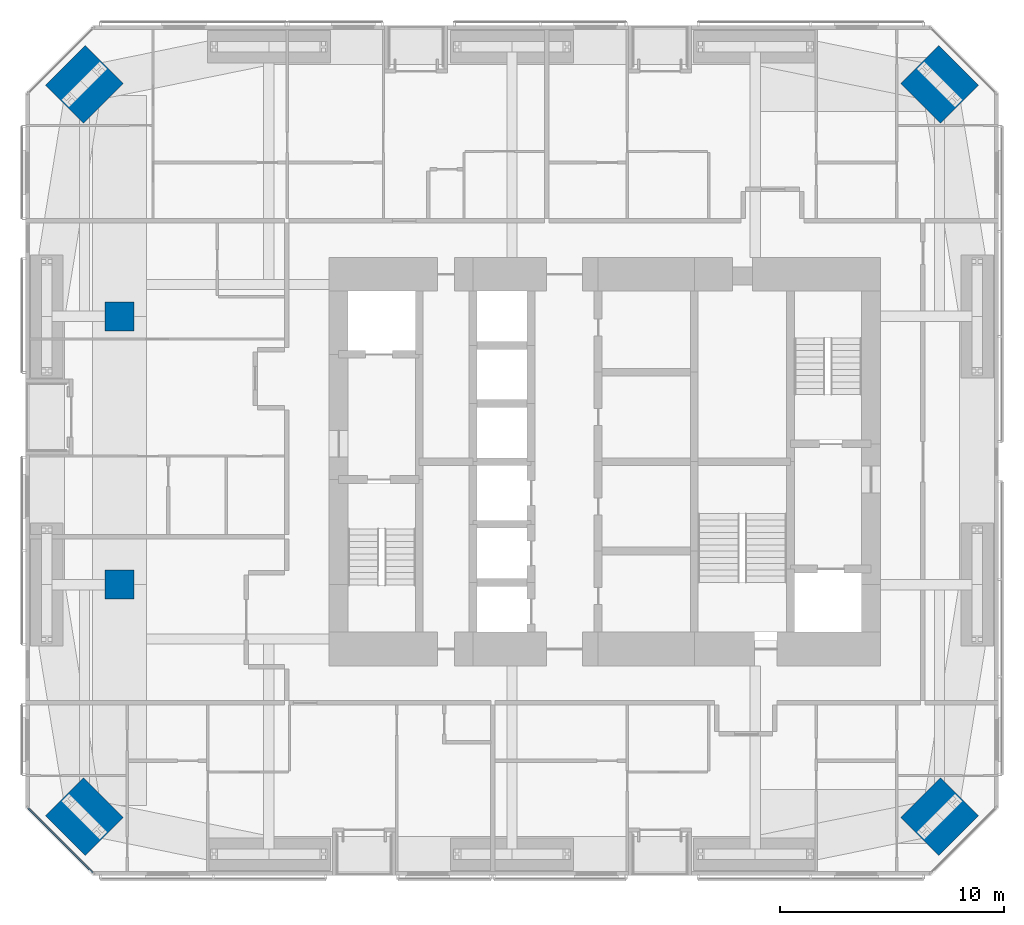
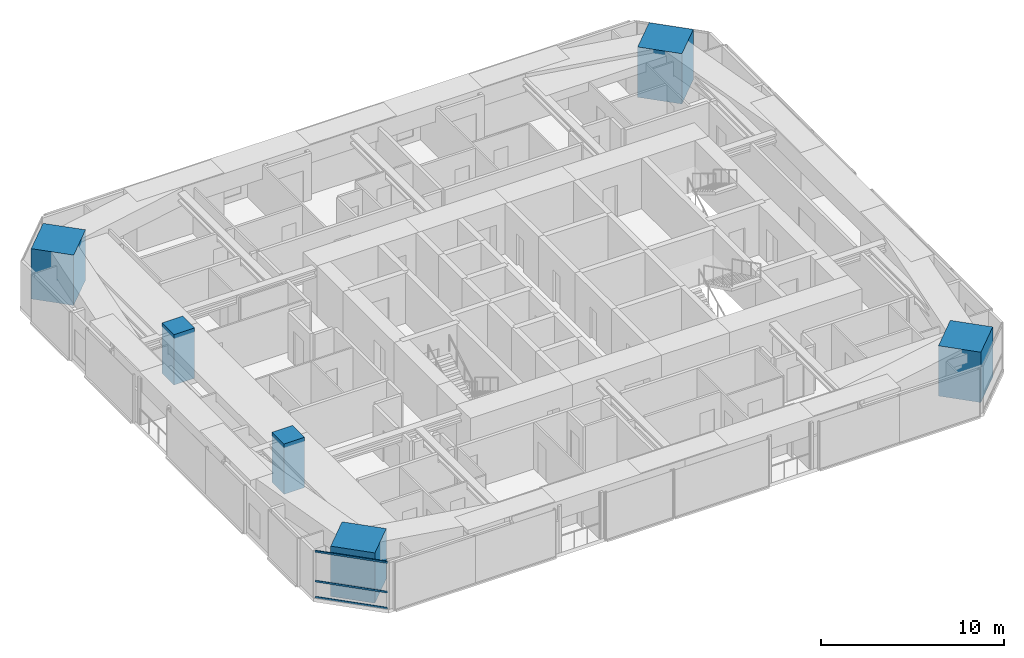
# One storey, part 1 of 24: 6 columns, 3 members, 1 element without a shape of its own.
"""IFC4 building model written with IfcOpenShell, lengths in metres."""

from ifc_helpers import new_model, si_unit, direction, frame, origin, origin_2d, place, context, subcontext, project, spatial, rectangle, extrude, material, material_profile, profile_set, type_object, element, aggregate, save


model = new_model("IFC4")

# Units and contexts
model_context = context("Model", 3, precision=1e-05, world=origin(), true_north=direction((0.0, 1.0)))
body_context = subcontext(model_context, "Body", "Model", "MODEL_VIEW")
ifc_project = project(units=[si_unit("LENGTHUNIT", "METRE"), si_unit("AREAUNIT", "SQUARE_METRE"), si_unit("VOLUMEUNIT", "CUBIC_METRE"), si_unit("PLANEANGLEUNIT", "RADIAN"), si_unit("MASSUNIT", "GRAM", prefix="KILO")], contexts=[model_context])

# Site, building, storey
site_placement = place(None, origin())
site = spatial("IfcSite", under=ifc_project, at=site_placement, CompositionType="ELEMENT")
building_placement = place(site_placement, origin())
building = spatial("IfcBuilding", under=site, at=building_placement, Name="Jalousie Tower", CompositionType="ELEMENT")
storey_placement = place(building_placement, frame((0.0, 0.0, 124.949951171875)))
storey = spatial("IfcBuildingStorey", under=building, at=storey_placement, Name="L34", CompositionType="ELEMENT", Elevation=124.949951171875)

# Columns
ifc_material_1 = material(Name="Concrete f'c 120 MPa", Category="concrete")
ifc_material_profile_1 = material_profile(ifc_material_1, rectangle(XDim=1.300048828125, YDim=1.300048828125, at=origin_2d()), Name="RC 1300x1300")
ifc_profile_set_1 = profile_set([ifc_material_profile_1], Name="Concrete f'c 120 MPa")
column_type_1 = type_object("IfcColumnType", Name="RC COLUMN 1300x1300", PredefinedType="COLUMN", material=ifc_profile_set_1)
for number, where, z_axis, x_axis, name in (
    (1, (10.199951171875, 13.0, 0.0), (0.0, 0.0, 1.0), (1.0, 0.0, 0.0), "Interior column IB1 L34"),
    (2, (10.199951171875, 25.0, 0.0), (0.0, 0.0, 1.0), (1.0, 0.0, 0.0), "Interior column IB2 L34"),
):
    element("IfcColumn", number, at=place(storey_placement, frame(where, z_axis=z_axis, x_axis=x_axis)), inside=storey, type_object=column_type_1, Name=name, PredefinedType="COLUMN", context=body_context, shape_type="SweptSolid", body=[
        extrude(rectangle(XDim=1.300048828125, YDim=1.300048828125, at=origin_2d()), origin(), (0.0, 0.0, 1.0), 3.35009765625),
    ])
ifc_material_2 = material(Name="Concrete f'c 120 MPa", Category="concrete")
ifc_material_profile_2 = material_profile(ifc_material_2, rectangle(XDim=2.39990234375, YDim=2.5, at=origin_2d()), Name="RC 2400x2500")
ifc_profile_set_2 = profile_set([ifc_material_profile_2], Name="Concrete f'c 120 MPa")
column_type_2 = type_object("IfcColumnType", Name="RC CORNER COLUMN 2400x2500", PredefinedType="COLUMN", material=ifc_profile_set_2)
for number, where, z_axis, x_axis, name in (
    (3, (8.63134765625, 2.63134765625, 0.0), (0.0, 0.0, 1.0), (0.707106781187, 0.707106781187, 0.0), "Corner column 01 L34"),
    (4, (46.86865234375, 2.63134765625, 0.0), (0.0, 0.0, 1.0), (-0.707106781187, 0.707106781187, 0.0), "Corner column 05 L34"),
    (5, (46.86865234375, 35.36865234375, 0.0), (0.0, 0.0, 1.0), (-0.707106781187, -0.707106781187, 0.0), "Corner column 08 L34"),
    (6, (8.63134765625, 35.36865234375, 0.0), (0.0, 0.0, 1.0), (0.707106781187, -0.707106781187, 0.0), "Corner column 12 L34"),
):
    element("IfcColumn", number, at=place(storey_placement, frame(where, z_axis=z_axis, x_axis=x_axis)), inside=storey, type_object=column_type_2, Name=name, PredefinedType="COLUMN", context=body_context, shape_type="SweptSolid", body=[
        extrude(rectangle(XDim=2.39990234375, YDim=2.5, at=origin_2d()), origin(), (0.0, 0.0, 1.0), 3.35009765625),
    ])

# Curtain wall, members
ifc_material_3 = material(Name="Aluminium curtain wall", Category="aluminium")
curtain_wall_type = type_object("IfcCurtainWallType", Name="CORNER WINDOW WALL", PredefinedType="USERDEFINED", material=ifc_material_3)
curtain_wall_placement = place(storey_placement, origin())
curtain_wall = element("IfcCurtainWall", 7, at=curtain_wall_placement, inside=storey, type_object=curtain_wall_type, Name="Corner Window Wall L34 8", ObjectType="CORNER WINDOW WALL", PredefinedType="USERDEFINED")
ifc_material_4 = material(Name="Aluminium transom", Category="aluminium")
ifc_material_profile_3 = material_profile(ifc_material_4, rectangle(XDim=0.06005859375, YDim=0.1201171875, at=origin_2d()), Name="TRANSOM 60x120")
ifc_profile_set_3 = profile_set([ifc_material_profile_3], Name="Aluminium transom")
member_type = type_object("IfcMemberType", Name="CORNER WINDOW WALL TRANSOM", PredefinedType="USERDEFINED", material=ifc_profile_set_3)
member_1_placement = place(storey_placement, frame((6.1298828125, 3.0087890625, 0.030029296875), z_axis=(0.707106781187, -0.707106781187, 0.0), x_axis=(0.707106781187, 0.707106781187, 0.0)))
member_1 = element("IfcMember", 8, at=member_1_placement, type_object=member_type, Name="CW-C transom 1.1", ObjectType="TRANSOM", PredefinedType="USERDEFINED", context=body_context, shape_type="SweptSolid", body=[
    extrude(rectangle(XDim=0.06005859375, YDim=0.1201171875, at=origin_2d()), origin(), (0.0, 0.0, 1.0), 4.0712890625),
])
member_2_placement = place(storey_placement, frame((6.1298828125, 3.0087890625, 1.10009765625), z_axis=(0.707106781187, -0.707106781187, 0.0), x_axis=(0.707106781187, 0.707106781187, 0.0)))
member_2 = element("IfcMember", 9, at=member_2_placement, type_object=member_type, Name="CW-C transom 1.2", ObjectType="TRANSOM", PredefinedType="USERDEFINED", context=body_context, shape_type="SweptSolid", body=[
    extrude(rectangle(XDim=0.06005859375, YDim=0.1201171875, at=origin_2d()), origin(), (0.0, 0.0, 1.0), 4.0712890625),
])
member_3_placement = place(storey_placement, frame((6.1298828125, 3.0087890625, 3.080078125), z_axis=(0.707106781187, -0.707106781187, 0.0), x_axis=(0.707106781187, 0.707106781187, 0.0)))
member_3 = element("IfcMember", 10, at=member_3_placement, type_object=member_type, Name="CW-C transom 1.3", ObjectType="TRANSOM", PredefinedType="USERDEFINED", context=body_context, shape_type="SweptSolid", body=[
    extrude(rectangle(XDim=0.06005859375, YDim=0.1201171875, at=origin_2d()), origin(), (0.0, 0.0, 1.0), 4.0712890625),
])
aggregate(curtain_wall, [member_1, member_2, member_3])

save(model, "model.ifc")
